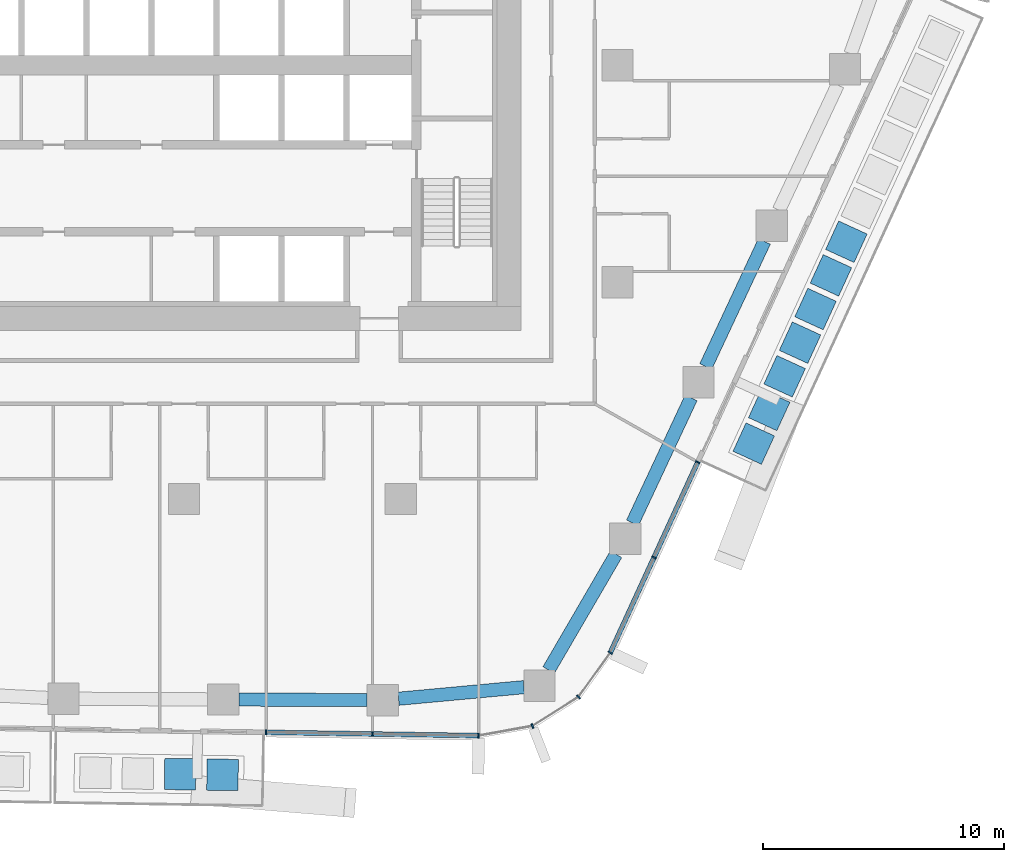
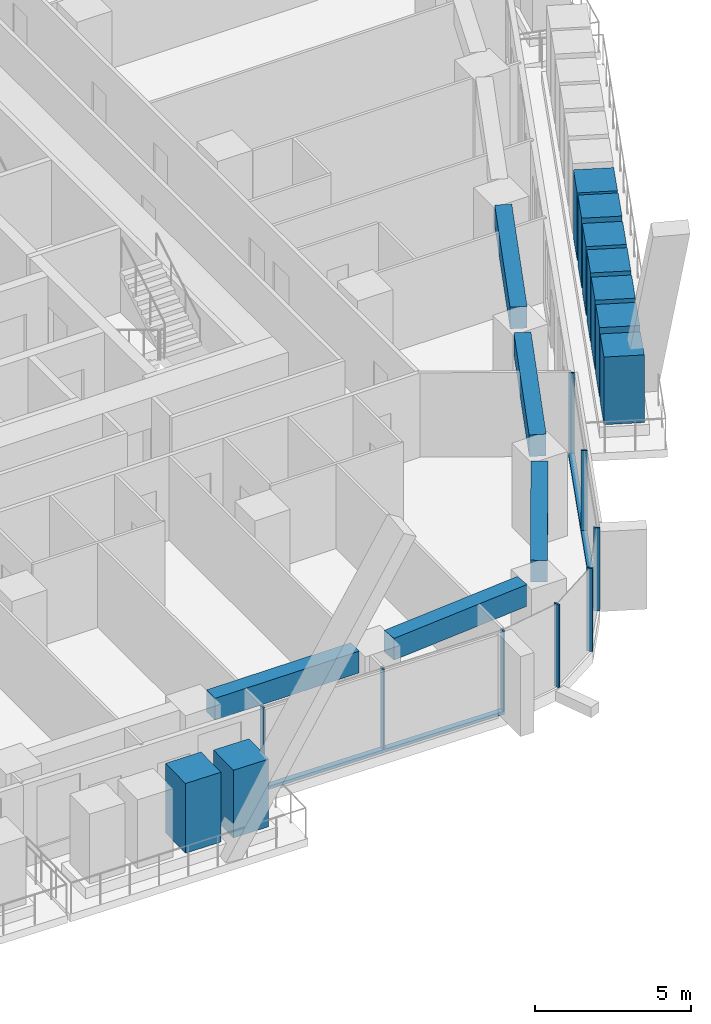
# One storey, part 4 of 25: 19 members, 5 beams, 3 elements without a shape of their own.
"""IFC4 building model written with IfcOpenShell, lengths in metres."""

from ifc_helpers import new_model, si_unit, direction, frame, origin, origin_2d, place, context, subcontext, project, spatial, rectangle, extrude, material, layer, layer_set, material_profile, profile_set, type_object, element, aggregate, save


model = new_model("IFC4")

# Units and contexts
model_context = context("Model", 3, precision=1e-05, world=origin(), true_north=direction((0.0, 1.0)))
body_context = subcontext(model_context, "Body", "Model", "MODEL_VIEW")
ifc_project = project(units=[si_unit("LENGTHUNIT", "METRE"), si_unit("AREAUNIT", "SQUARE_METRE"), si_unit("VOLUMEUNIT", "CUBIC_METRE"), si_unit("PLANEANGLEUNIT", "RADIAN"), si_unit("MASSUNIT", "GRAM", prefix="KILO")], contexts=[model_context])

# Site, building, storey
site_placement = place(None, origin())
site = spatial("IfcSite", under=ifc_project, at=site_placement, CompositionType="ELEMENT")
building_placement = place(site_placement, origin())
building = spatial("IfcBuilding", under=site, at=building_placement, Name="Dongbaek Canopy Tower", CompositionType="ELEMENT")
storey_placement = place(building_placement, frame((0.0, 0.0, 102.60009765625)))
storey = spatial("IfcBuildingStorey", under=building, at=storey_placement, Name="L21", CompositionType="ELEMENT", Elevation=102.60009765625)

# Curtain wall, members
ifc_material_1 = material(Name="Aluminium 6063-T6 pale anodised", Category="aluminium")
ifc_layer = layer(ifc_material_1, 0.199951171875)
ifc_layer_set = layer_set([ifc_layer], Name="CW-1 unitised tower curtain wall")
curtain_wall_type = type_object("IfcCurtainWallType", Name="CW-1 unitised tower curtain wall", PredefinedType="NOTDEFINED", material=ifc_layer_set)
curtain_wall_1_placement = place(storey_placement, origin())
curtain_wall_1 = element("IfcCurtainWall", 1, at=curtain_wall_1_placement, inside=storey, type_object=curtain_wall_type, Name="CW-1 curtain wall F4.1", PredefinedType="NOTDEFINED")
ifc_material_2 = material(Name="Aluminium 6063-T6 pale anodised", Category="aluminium")
ifc_material_profile_1 = material_profile(ifc_material_2, rectangle(XDim=0.199951171875, YDim=0.06005859375, at=origin_2d()), Name="CW-1 mullion 60 x 200")
ifc_profile_set_1 = profile_set([ifc_material_profile_1], Name="Aluminium 6063-T6 pale anodised")
member_type_1 = type_object("IfcMemberType", Name="CW-1 mullion 60 x 200", PredefinedType="MULLION", material=ifc_profile_set_1)
member_1_placement = place(storey_placement, frame((3.409912109375, -27.68505859375, 0.119873046875), z_axis=(0.0, 0.0, 1.0), x_axis=(-0.015412878639, -0.999881214531, 0.0)))
member_1 = element("IfcMember", 2, at=member_1_placement, type_object=member_type_1, Name="CW-1 mullion F4.1.1", PredefinedType="MULLION", context=body_context, shape_type="SweptSolid", body=[
    extrude(rectangle(XDim=0.199951171875, YDim=0.06005859375, at=origin_2d()), origin(), (0.0, 0.0, 1.0), 3.130126953125),
])
member_2_placement = place(storey_placement, frame((7.82666015625, -27.753173828125, 0.119873046875), z_axis=(0.0, 0.0, 1.0), x_axis=(-0.015412878639, -0.999881214531, 0.0)))
member_2 = element("IfcMember", 3, at=member_2_placement, type_object=member_type_1, Name="CW-1 mullion F4.1.2", PredefinedType="MULLION", context=body_context, shape_type="SweptSolid", body=[
    extrude(rectangle(XDim=0.199951171875, YDim=0.06005859375, at=origin_2d()), origin(), (0.0, 0.0, 1.0), 3.130126953125),
])
member_3_placement = place(storey_placement, frame((12.23388671875, -27.821044921875, 0.119873046875), z_axis=(0.0, 0.0, 1.0), x_axis=(-0.015412878639, -0.999881214531, 0.0)))
member_3 = element("IfcMember", 4, at=member_3_placement, type_object=member_type_1, Name="CW-1 mullion F4.1.3", PredefinedType="MULLION", context=body_context, shape_type="SweptSolid", body=[
    extrude(rectangle(XDim=0.199951171875, YDim=0.06005859375, at=origin_2d()), origin(), (0.0, 0.0, 1.0), 3.130126953125),
])

curtain_wall_2_placement = place(storey_placement, origin())
curtain_wall_2 = element("IfcCurtainWall", 5, at=curtain_wall_2_placement, inside=storey, type_object=curtain_wall_type, Name="CW-1 curtain wall K5.1", PredefinedType="NOTDEFINED")
member_4_placement = place(storey_placement, frame((14.466796875, -27.421142578125, 0.0), z_axis=(0.0, 0.0, 1.0), x_axis=(0.361518655107, -0.932364876006, 0.0)))
member_4 = element("IfcMember", 6, at=member_4_placement, type_object=member_type_1, Name="CW-1 mullion K5.1.2", PredefinedType="MULLION", context=body_context, shape_type="SweptSolid", body=[
    extrude(rectangle(XDim=0.199951171875, YDim=0.06005859375, at=origin_2d()), origin(), (0.0, 0.0, 1.0), 3.25),
])
member_5_placement = place(storey_placement, frame((16.377197265625, -26.216552734375, 0.0), z_axis=(0.0, 0.0, 1.0), x_axis=(0.685438598234, -0.728130433406, 0.0)))
member_5 = element("IfcMember", 7, at=member_5_placement, type_object=member_type_1, Name="CW-1 mullion K5.1.3", PredefinedType="MULLION", context=body_context, shape_type="SweptSolid", body=[
    extrude(rectangle(XDim=0.199951171875, YDim=0.06005859375, at=origin_2d()), origin(), (0.0, 0.0, 1.0), 3.25),
])
member_6_placement = place(storey_placement, frame((17.70068359375, -24.3740234375, 0.0), z_axis=(0.0, 0.0, 1.0), x_axis=(0.812169270301, -0.583421868273, 0.0)))
member_6 = element("IfcMember", 8, at=member_6_placement, type_object=member_type_1, Name="CW-1 mullion K5.1.4", PredefinedType="MULLION", context=body_context, shape_type="SweptSolid", body=[
    extrude(rectangle(XDim=0.199951171875, YDim=0.06005859375, at=origin_2d()), origin(), (0.0, 0.0, 1.0), 3.25),
])
aggregate(curtain_wall_2, [member_4, member_5, member_6])

curtain_wall_3_placement = place(storey_placement, origin())
curtain_wall_3 = element("IfcCurtainWall", 9, at=curtain_wall_3_placement, inside=storey, type_object=curtain_wall_type, Name="CW-1 curtain wall F5.1", PredefinedType="NOTDEFINED")
member_7_placement = place(storey_placement, frame((19.512939453125, -20.425537109375, 0.119873046875), z_axis=(0.0, 0.0, 1.0), x_axis=(0.908848678728, -0.417125975185, 0.0)))
member_7 = element("IfcMember", 10, at=member_7_placement, type_object=member_type_1, Name="CW-1 mullion F5.1.2", PredefinedType="MULLION", context=body_context, shape_type="SweptSolid", body=[
    extrude(rectangle(XDim=0.199951171875, YDim=0.06005859375, at=origin_2d()), origin(), (0.0, 0.0, 1.0), 3.130126953125),
])
member_8_placement = place(storey_placement, frame((21.329345703125, -16.468017578125, 0.119873046875), z_axis=(0.0, 0.0, 1.0), x_axis=(0.908848678728, -0.417125975185, 0.0)))
member_8 = element("IfcMember", 11, at=member_8_placement, type_object=member_type_1, Name="CW-1 mullion F5.1.3", PredefinedType="MULLION", context=body_context, shape_type="SweptSolid", body=[
    extrude(rectangle(XDim=0.199951171875, YDim=0.06005859375, at=origin_2d()), origin(), (0.0, 0.0, 1.0), 3.130126953125),
])

# Member
ifc_material_3 = material(Name="Aluminium 6063-T6 pale anodised", Category="aluminium")
ifc_material_profile_2 = material_profile(ifc_material_3, rectangle(XDim=0.199951171875, YDim=0.1201171875, at=origin_2d()), Name="CW-1 transom 120 x 200")
ifc_profile_set_2 = profile_set([ifc_material_profile_2], Name="Aluminium 6063-T6 pale anodised")
member_type_2 = type_object("IfcMemberType", Name="CW-1 transom 120 x 200", PredefinedType="USERDEFINED", material=ifc_profile_set_2)
member_9_placement = place(storey_placement, frame((3.409912109375, -27.68505859375, 0.059814453125), z_axis=(0.999881271591, -0.015409176556, 0.0), x_axis=(0.015409176556, 0.999881271591, 0.0)))
member_9 = element("IfcMember", 12, at=member_9_placement, type_object=member_type_2, Name="CW-1 transom F4.1.1", ObjectType="TRANSOM", PredefinedType="USERDEFINED", context=body_context, shape_type="SweptSolid", body=[
    extrude(rectangle(XDim=0.199951171875, YDim=0.1201171875, at=origin_2d()), origin(), (0.0, 0.0, 1.0), 8.824951171875),
])

aggregate(curtain_wall_1, [member_1, member_2, member_3, member_9])

member_10_placement = place(storey_placement, frame((17.70068359375, -24.3740234375, 0.059814453125), z_axis=(0.417136878422, 0.90884367449, 0.0), x_axis=(-0.90884367449, 0.417136878422, 0.0)))
member_10 = element("IfcMember", 13, at=member_10_placement, type_object=member_type_2, Name="CW-1 transom F5.1.1", ObjectType="TRANSOM", PredefinedType="USERDEFINED", context=body_context, shape_type="SweptSolid", body=[
    extrude(rectangle(XDim=0.199951171875, YDim=0.1201171875, at=origin_2d()), origin(), (0.0, 0.0, 1.0), 8.698974609375),
])

aggregate(curtain_wall_3, [member_7, member_8, member_10])

# Beams
ifc_material_4 = material(Name="Concrete C80", Category="concrete")
ifc_material_profile_3 = material_profile(ifc_material_4, rectangle(XDim=0.550048828125, YDim=0.85009765625, at=origin_2d()), Name="RC EDGE BEAM 550x850 C80")
ifc_profile_set_3 = profile_set([ifc_material_profile_3], Name="Concrete C80")
beam_type = type_object("IfcBeamType", Name="RC EDGE BEAM 550x850 C80", PredefinedType="BEAM", material=ifc_profile_set_3)
beam_1_placement = place(storey_placement, frame((14.110107421875, -25.80908203125, 2.875), z_axis=(-0.995770494827, -0.091875576911, 0.0), x_axis=(0.091875576911, -0.995770494827, 0.0)))
element("IfcBeam", 14, at=beam_1_placement, inside=storey, type_object=beam_type, Name="EDGEBEAM:L21:00", PredefinedType="BEAM", context=body_context, shape_type="SweptSolid", body=[
    extrude(rectangle(XDim=0.550048828125, YDim=0.85009765625, at=origin_2d()), origin(), (0.0, 0.0, 1.0), 5.224365234375),
])
beam_2_placement = place(storey_placement, frame((7.60791015625, -26.34619140625, 2.875), z_axis=(-0.999989714022, 0.004535620181, 0.0), x_axis=(-0.004535620181, -0.999989714022, 0.0)))
element("IfcBeam", 15, at=beam_2_placement, inside=storey, type_object=beam_type, Name="EDGEBEAM:L21:01", PredefinedType="BEAM", context=body_context, shape_type="SweptSolid", body=[
    extrude(rectangle(XDim=0.550048828125, YDim=0.85009765625, at=origin_2d()), origin(), (0.0, 0.0, 1.0), 5.328857421875),
])
beam_3_placement = place(storey_placement, frame((24.091796875, -7.306884765625, 2.875), z_axis=(-0.424022586017, -0.905651614335, 0.0), x_axis=(0.905651614335, -0.424022586017, 0.0)))
element("IfcBeam", 16, at=beam_3_placement, inside=storey, type_object=beam_type, Name="EDGEBEAM:L21:23", PredefinedType="BEAM", context=body_context, shape_type="SweptSolid", body=[
    extrude(rectangle(XDim=0.550048828125, YDim=0.85009765625, at=origin_2d()), origin(), (0.0, 0.0, 1.0), 5.734130859375),
])
beam_4_placement = place(storey_placement, frame((21.051513671875, -13.800048828125, 2.875), z_axis=(-0.424209119096, -0.905564256845, 0.0), x_axis=(0.905564256845, -0.424209119096, 0.0)))
element("IfcBeam", 17, at=beam_4_placement, inside=storey, type_object=beam_type, Name="EDGEBEAM:L21:24", PredefinedType="BEAM", context=body_context, shape_type="SweptSolid", body=[
    extrude(rectangle(XDim=0.550048828125, YDim=0.85009765625, at=origin_2d()), origin(), (0.0, 0.0, 1.0), 5.7333984375),
])
beam_5_placement = place(storey_placement, frame((17.9365234375, -20.2919921875, 2.875), z_axis=(-0.503057531083, -0.864252926186, 0.0), x_axis=(0.864252926186, -0.503057531083, 0.0)))
element("IfcBeam", 18, at=beam_5_placement, inside=storey, type_object=beam_type, Name="EDGEBEAM:L21:25", PredefinedType="BEAM", context=body_context, shape_type="SweptSolid", body=[
    extrude(rectangle(XDim=0.550048828125, YDim=0.85009765625, at=origin_2d()), origin(), (0.0, 0.0, 1.0), 5.562255859375),
])

# Members
ifc_material_5 = material(Name="Concrete C40/50 planter mass with planting", Category="concrete")
ifc_material_profile_4 = material_profile(ifc_material_5, rectangle(XDim=1.300048828125, YDim=1.300048828125, at=origin_2d()), Name="Terrace PLANTER shrub mass 1300 x 1300")
ifc_profile_set_4 = profile_set([ifc_material_profile_4], Name="Concrete C40/50 planter mass with planting")
member_type_3 = type_object("IfcMemberType", Name="Terrace PLANTER shrub mass 1300 x 1300", PredefinedType="USERDEFINED", material=ifc_profile_set_4)
member_11_placement = place(storey_placement, frame((-0.1552734375, -29.420166015625, 0.419921875), z_axis=(0.0, 0.0, 1.0), x_axis=(-0.015412878639, -0.999881214531, 0.0)))
element("IfcMember", 19, at=member_11_placement, inside=storey, type_object=member_type_3, Name="Planter shrubs L21 4.3", ObjectType="PLANTER", PredefinedType="USERDEFINED", context=body_context, shape_type="SweptSolid", body=[
    extrude(rectangle(XDim=1.300048828125, YDim=1.300048828125, at=origin_2d()), origin(), (0.0, 0.0, 1.0), 2.72998046875),
])
for number, where, z_axis, x_axis, name in (
    (20, (1.603271484375, -29.447265625, 0.419921875), (0.0, 0.0, 1.0), (-0.015412878639, -0.999881214531, 0.0), "Planter shrubs L21 4.4"),
    (21, (23.65185546875, -15.69873046875, 0.419921875), (0.0, 0.0, 1.0), (0.908848678728, -0.417125975185, 0.0), "Planter shrubs L21 5.1"),
):
    element("IfcMember", number, at=place(storey_placement, frame(where, z_axis=z_axis, x_axis=x_axis)), inside=storey, type_object=member_type_3, Name=name, ObjectType="PLANTER", PredefinedType="USERDEFINED", context=body_context, shape_type="SweptSolid", body=[
        extrude(rectangle(XDim=1.300048828125, YDim=1.300048828125, at=origin_2d()), origin(), (0.0, 0.0, 1.0), 2.64990234375),
    ])
for number, where, z_axis, x_axis, name in (
    (22, (24.292724609375, -14.302490234375, 0.419921875), (0.0, 0.0, 1.0), (0.908848678728, -0.417125975185, 0.0), "Planter shrubs L21 5.2"),
    (23, (24.93359375, -12.90625, 0.419921875), (0.0, 0.0, 1.0), (0.908848678728, -0.417125975185, 0.0), "Planter shrubs L21 5.3"),
    (24, (25.57421875, -11.510009765625, 0.419921875), (0.0, 0.0, 1.0), (0.908848678728, -0.417125975185, 0.0), "Planter shrubs L21 5.4"),
):
    element("IfcMember", number, at=place(storey_placement, frame(where, z_axis=z_axis, x_axis=x_axis)), inside=storey, type_object=member_type_3, Name=name, ObjectType="PLANTER", PredefinedType="USERDEFINED", context=body_context, shape_type="SweptSolid", body=[
        extrude(rectangle(XDim=1.300048828125, YDim=1.300048828125, at=origin_2d()), origin(), (0.0, 0.0, 1.0), 2.72998046875),
    ])
member_12_placement = place(storey_placement, frame((26.215087890625, -10.11376953125, 0.419921875), z_axis=(0.0, 0.0, 1.0), x_axis=(0.908848678728, -0.417125975185, 0.0)))
element("IfcMember", 25, at=member_12_placement, inside=storey, type_object=member_type_3, Name="Planter shrubs L21 5.5", ObjectType="PLANTER", PredefinedType="USERDEFINED", context=body_context, shape_type="SweptSolid", body=[
    extrude(rectangle(XDim=1.300048828125, YDim=1.300048828125, at=origin_2d()), origin(), (0.0, 0.0, 1.0), 2.68994140625),
])
member_13_placement = place(storey_placement, frame((26.85595703125, -8.717529296875, 0.419921875), z_axis=(0.0, 0.0, 1.0), x_axis=(0.908848678728, -0.417125975185, 0.0)))
element("IfcMember", 26, at=member_13_placement, inside=storey, type_object=member_type_3, Name="Planter shrubs L21 5.6", ObjectType="PLANTER", PredefinedType="USERDEFINED", context=body_context, shape_type="SweptSolid", body=[
    extrude(rectangle(XDim=1.300048828125, YDim=1.300048828125, at=origin_2d()), origin(), (0.0, 0.0, 1.0), 2.72998046875),
])
member_14_placement = place(storey_placement, frame((27.496826171875, -7.3212890625, 0.419921875), z_axis=(0.0, 0.0, 1.0), x_axis=(0.908848678728, -0.417125975185, 0.0)))
element("IfcMember", 27, at=member_14_placement, inside=storey, type_object=member_type_3, Name="Planter shrubs L21 5.7", ObjectType="PLANTER", PredefinedType="USERDEFINED", context=body_context, shape_type="SweptSolid", body=[
    extrude(rectangle(XDim=1.300048828125, YDim=1.300048828125, at=origin_2d()), origin(), (0.0, 0.0, 1.0), 2.64990234375),
])

save(model, "model.ifc")
